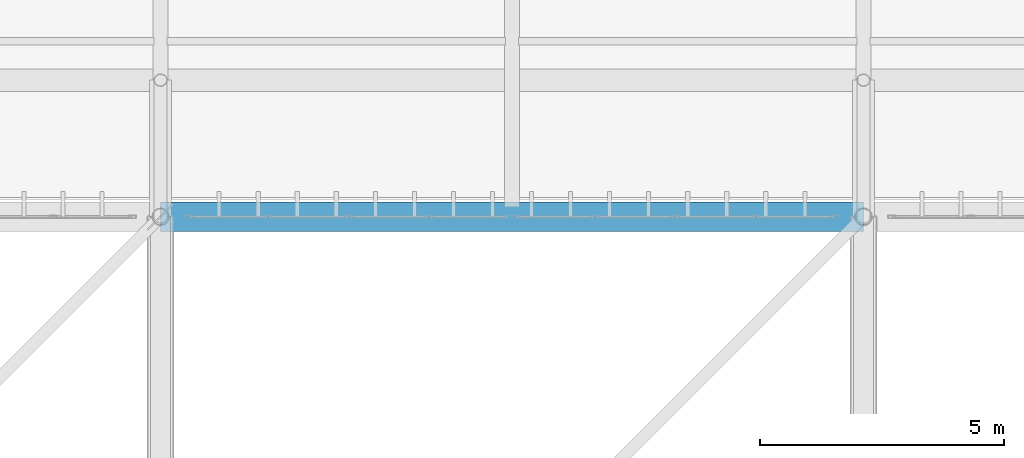
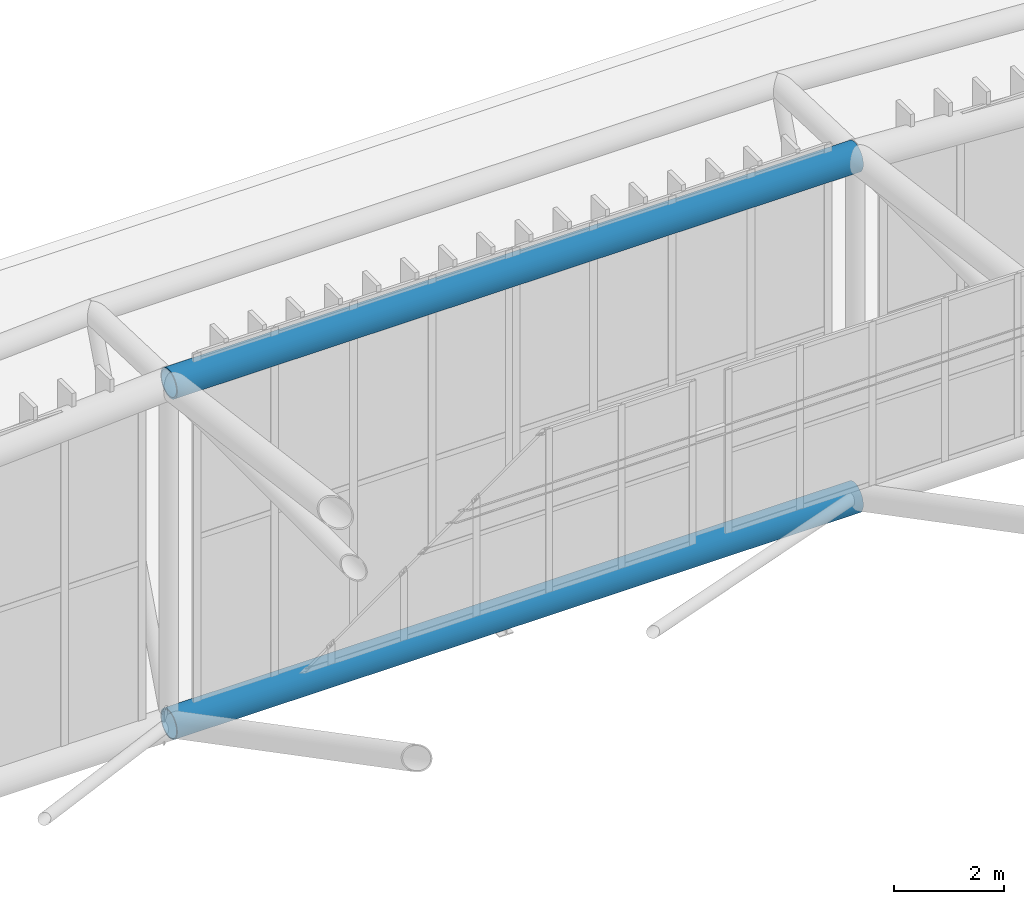
# One storey, part 322 of 397: 2 beams.
"""IFC4 building model written with IfcOpenShell, lengths in metres."""

from ifc_helpers import new_model, si_unit, direction, frame, origin, origin_2d, place, context, subcontext, project, spatial, hollow_circle, extrude, material, material_profile, profile_set, type_object, element, save


model = new_model("IFC4")

# Units and contexts
model_context = context("Model", 3, precision=1e-05, world=origin(), true_north=direction((0.0, 1.0)))
body_context = subcontext(model_context, "Body", "Model", "MODEL_VIEW")
ifc_project = project(units=[si_unit("LENGTHUNIT", "METRE"), si_unit("AREAUNIT", "SQUARE_METRE"), si_unit("VOLUMEUNIT", "CUBIC_METRE"), si_unit("PLANEANGLEUNIT", "RADIAN"), si_unit("MASSUNIT", "GRAM", prefix="KILO")], contexts=[model_context])

# Site, building, storey
site_placement = place(None, origin())
site = spatial("IfcSite", under=ifc_project, at=site_placement, CompositionType="ELEMENT")
building_placement = place(site_placement, origin())
building = spatial("IfcBuilding", under=site, at=building_placement, Name="Qandorah Velis Arena", CompositionType="ELEMENT")
storey_placement = place(building_placement, frame((0.0, 0.0, 27.5)))
storey = spatial("IfcBuildingStorey", under=building, at=storey_placement, Name="RF", CompositionType="ELEMENT", Elevation=27.5)

# Beams
ifc_material = material(Name="Steel S460", Category="steel")
ifc_material_profile_1 = material_profile(ifc_material, hollow_circle(Radius=0.304931640625, WallThickness=0.02490234375, at=origin_2d()), Name="CHS 610x25")
ifc_profile_set_1 = profile_set([ifc_material_profile_1], Name="Steel S460")
beam_type_1 = type_object("IfcBeamType", Name="STR-SFC-CHS610X25", PredefinedType="USERDEFINED", material=ifc_profile_set_1)
beam_1_placement = place(storey_placement, frame((57.60009765625, 115.199951171875, 0.10009765625), z_axis=(1.0, 0.0, 0.0), x_axis=(0.0, 1.0, 0.0)))
element("IfcBeam", 1, at=beam_1_placement, inside=storey, type_object=beam_type_1, Name="Space frame roof truss bottom chord X 3.7", ObjectType="ROOF TRUSS", PredefinedType="USERDEFINED", context=body_context, shape_type="SweptSolid", body=[
    extrude(hollow_circle(Radius=0.304931640625, WallThickness=0.02490234375, at=origin_2d()), origin(), (0.0, 0.0, 1.0), 14.39990234375),
])
ifc_material_profile_2 = material_profile(ifc_material, hollow_circle(Radius=0.304931640625, WallThickness=0.031982421875, at=origin_2d()), Name="CHS 610x32")
ifc_profile_set_2 = profile_set([ifc_material_profile_2], Name="Steel S460")
beam_type_2 = type_object("IfcBeamType", Name="STR-SFC-CHS610X32", PredefinedType="USERDEFINED", material=ifc_profile_set_2)
beam_2_placement = place(storey_placement, frame((57.60009765625, 115.199951171875, 7.65576171875), z_axis=(1.0, 0.0, 0.0), x_axis=(0.0, 1.0, 0.0)))
element("IfcBeam", 2, at=beam_2_placement, inside=storey, type_object=beam_type_2, Name="Space frame roof truss top chord X 3.7", ObjectType="ROOF TRUSS", PredefinedType="USERDEFINED", context=body_context, shape_type="SweptSolid", body=[
    extrude(hollow_circle(Radius=0.304931640625, WallThickness=0.031982421875, at=origin_2d()), origin(), (0.0, 0.0, 1.0), 14.39990234375),
])

save(model, "model.ifc")
